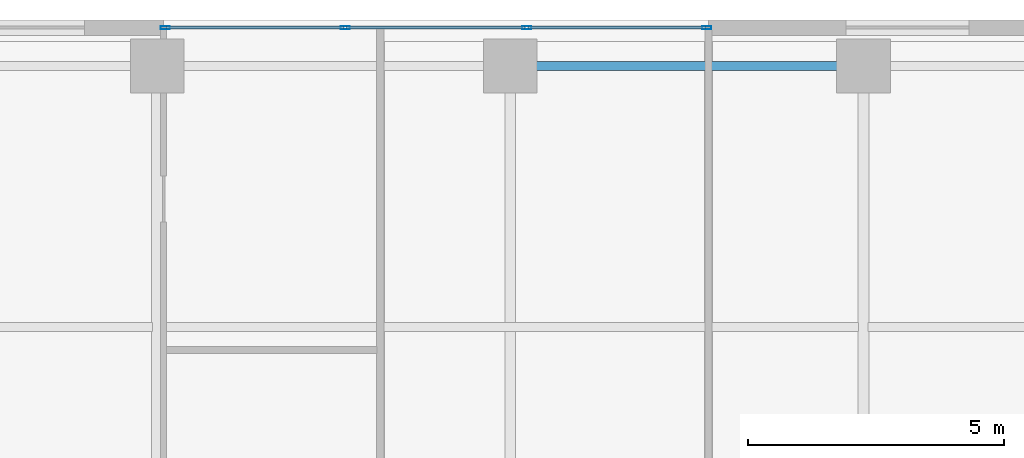
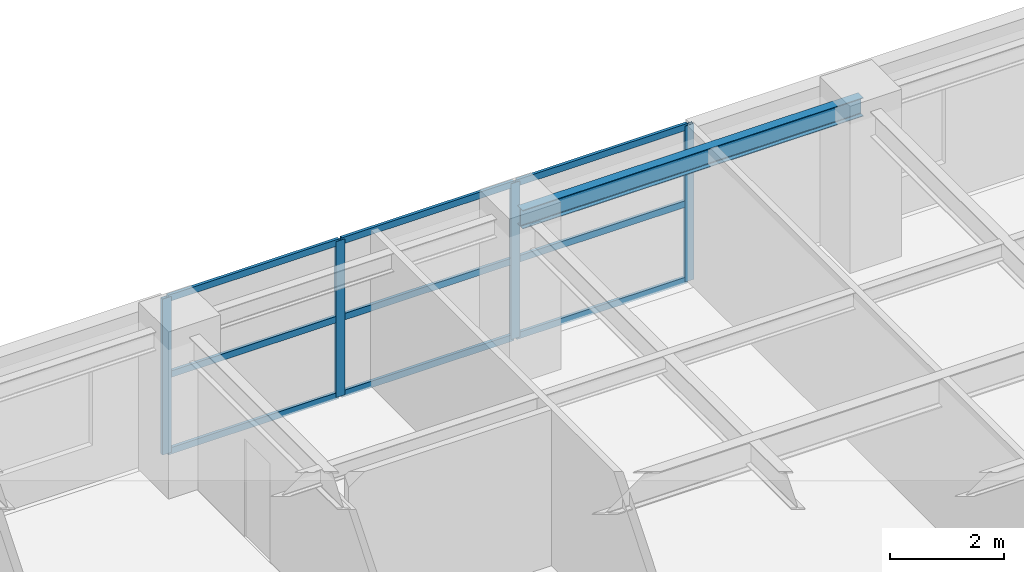
# One storey, part 10 of 20: 13 members, 1 beam, 1 element without a shape of its own.
"""IFC4 building model written with IfcOpenShell, lengths in metres."""

from ifc_helpers import new_model, si_unit, direction, frame, origin, origin_2d, place, context, subcontext, project, spatial, hollow_rectangle, i_section, extrude, source, transform, mapped, material, layer, layer_set, material_profile, profile_set, type_object, element, aggregate, save


model = new_model("IFC4")

# Units and contexts
model_context = context("Model", 3, precision=1e-05, world=origin(), true_north=direction((0.0, 1.0)))
body_context = subcontext(model_context, "Body", "Model", "MODEL_VIEW")
ifc_project = project(units=[si_unit("LENGTHUNIT", "METRE"), si_unit("AREAUNIT", "SQUARE_METRE"), si_unit("VOLUMEUNIT", "CUBIC_METRE"), si_unit("PLANEANGLEUNIT", "RADIAN"), si_unit("MASSUNIT", "GRAM", prefix="KILO")], contexts=[model_context])

# Site, building, storey
site_placement = place(None, origin())
site = spatial("IfcSite", under=ifc_project, at=site_placement, CompositionType="ELEMENT")
building_placement = place(site_placement, origin())
building = spatial("IfcBuilding", under=site, at=building_placement, Name="Khoralis Quay Care Tower", CompositionType="ELEMENT")
storey_placement = place(building_placement, frame((0.0, 0.0, 116.10009765625)))
storey = spatial("IfcBuildingStorey", under=building, at=storey_placement, Name="L30", CompositionType="ELEMENT", Elevation=116.10009765625)

# Beam
ifc_material_1 = material(Name="Steel S355", Category="steel")
ifc_material_profile_1 = material_profile(ifc_material_1, i_section(OverallWidth=0.179931640625, OverallDepth=0.39990234375, WebThickness=0.008544921875, FlangeThickness=0.013427734375, FilletRadius=0.02099609375, at=origin_2d()), Name="Steel S355")
ifc_profile_set_1 = profile_set([ifc_material_profile_1], Name="Steel S355")
beam_type = type_object("IfcBeamType", Name="BM-IPE400", PredefinedType="SPANDREL", material=ifc_profile_set_1)
shared_shape_1 = source(origin(), body_context, "Body", "SweptSolid", [
    extrude(i_section(OverallWidth=0.179931640625, OverallDepth=0.39990234375, WebThickness=0.008544921875, FlangeThickness=0.013427734375, FilletRadius=0.02099609375, at=origin_2d()), origin(), (0.0, 0.0, 1.0), 6.89990234375),
])
beam_placement = place(storey_placement, frame((24.0, 44.10009765625, 3.139892578125), z_axis=(1.0, 0.0, 0.0), x_axis=(0.0, 1.0, 0.0)))
element("IfcBeam", 1, at=beam_placement, inside=storey, type_object=beam_type, Name="BM-TSP-L30-09", PredefinedType="SPANDREL", context=body_context, shape_type="MappedRepresentation", body=[
    mapped(shared_shape_1, transform((0.0, 0.0, 0.0), scale=1.0)),
])

# Curtain wall, members
ifc_material_2 = material(Name="Pale anodised aluminium", Category="aluminium")
ifc_layer = layer(ifc_material_2, 0.169921875)
ifc_layer_set = layer_set([ifc_layer], Name="Pale anodised aluminium")
curtain_wall_type = type_object("IfcCurtainWallType", Name="CW-SYS-Z2", PredefinedType="NOTDEFINED", material=ifc_layer_set)
curtain_wall_placement = place(storey_placement, origin())
curtain_wall = element("IfcCurtainWall", 2, at=curtain_wall_placement, inside=storey, type_object=curtain_wall_type, Name="L30 Unitised Curtain Wall CW-L30-P1-E10", PredefinedType="NOTDEFINED")
ifc_material_profile_2 = material_profile(ifc_material_2, hollow_rectangle(XDim=0.06494140625, YDim=0.179931640625, WallThickness=0.00390625, at=origin_2d()), Name="Pale anodised aluminium")
ifc_profile_set_2 = profile_set([ifc_material_profile_2], Name="Pale anodised aluminium")
member_type_1 = type_object("IfcMemberType", Name="CW-MUL-180", PredefinedType="MULLION", material=ifc_profile_set_2)
shared_shape_2 = source(origin(), body_context, "Body", "SweptSolid", [
    extrude(hollow_rectangle(XDim=0.06494140625, YDim=0.179931640625, WallThickness=0.00390625, at=origin_2d()), origin(), (0.0, 0.0, 1.0), 3.33984375),
])
member_1_placement = place(storey_placement, frame((27.840087890625, 44.85009765625, 0.0), z_axis=(0.0, 0.0, 1.0), x_axis=(0.0, -1.0, 0.0)))
member_1 = element("IfcMember", 3, at=member_1_placement, type_object=member_type_1, Name="CW2 mullion 1", PredefinedType="MULLION", context=body_context, shape_type="MappedRepresentation", body=[
    mapped(shared_shape_2, transform((0.0, 0.0, 0.0), scale=1.0)),
])
member_2_placement = place(storey_placement, frame((24.322265625, 44.85009765625, 0.0), z_axis=(0.0, 0.0, 1.0), x_axis=(0.0, -1.0, 0.0)))
member_2 = element("IfcMember", 4, at=member_2_placement, type_object=member_type_1, Name="CW2 mullion 2", PredefinedType="MULLION", context=body_context, shape_type="MappedRepresentation", body=[
    mapped(shared_shape_2, transform((0.0, 0.0, 0.0), scale=1.0)),
])
member_3_placement = place(storey_placement, frame((20.774658203125, 44.85009765625, 0.0), z_axis=(0.0, 0.0, 1.0), x_axis=(0.0, -1.0, 0.0)))
member_3 = element("IfcMember", 5, at=member_3_placement, type_object=member_type_1, Name="CW2 mullion 3", PredefinedType="MULLION", context=body_context, shape_type="MappedRepresentation", body=[
    mapped(shared_shape_2, transform((0.0, 0.0, 0.0), scale=1.0)),
])
member_4_placement = place(storey_placement, frame((17.257080078125, 44.85009765625, 0.0), z_axis=(0.0, 0.0, 1.0), x_axis=(0.0, -1.0, 0.0)))
member_4 = element("IfcMember", 6, at=member_4_placement, type_object=member_type_1, Name="CW2 mullion 4", PredefinedType="MULLION", context=body_context, shape_type="MappedRepresentation", body=[
    mapped(shared_shape_2, transform((0.0, 0.0, 0.0), scale=1.0)),
])
ifc_material_profile_3 = material_profile(ifc_material_2, hollow_rectangle(XDim=0.06005859375, YDim=0.139892578125, WallThickness=0.00390625, at=origin_2d()), Name="Pale anodised aluminium")
ifc_profile_set_3 = profile_set([ifc_material_profile_3], Name="Pale anodised aluminium")
member_type_2 = type_object("IfcMemberType", Name="CW-TRN-140", PredefinedType="USERDEFINED", material=ifc_profile_set_3)
shared_shape_3 = source(origin(), body_context, "Body", "SweptSolid", [
    extrude(hollow_rectangle(XDim=0.06005859375, YDim=0.139892578125, WallThickness=0.00390625, at=origin_2d()), origin(), (0.0, 0.0, 1.0), 3.457763671875),
])
member_5_placement = place(storey_placement, frame((27.81005859375, 44.85009765625, 0.02978515625), z_axis=(-1.0, 0.0, 0.0), x_axis=(0.0, -1.0, 0.0)))
member_5 = element("IfcMember", 7, at=member_5_placement, type_object=member_type_2, Name="CW2 transom 1.1", ObjectType="TRANSOM", PredefinedType="USERDEFINED", context=body_context, shape_type="MappedRepresentation", body=[
    mapped(shared_shape_3, transform((0.0, 0.0, 0.0), scale=1.0)),
])
member_6_placement = place(storey_placement, frame((27.81005859375, 44.85009765625, 1.669921875), z_axis=(-1.0, 0.0, 0.0), x_axis=(0.0, -1.0, 0.0)))
member_6 = element("IfcMember", 8, at=member_6_placement, type_object=member_type_2, Name="CW2 transom 1.2", ObjectType="TRANSOM", PredefinedType="USERDEFINED", context=body_context, shape_type="MappedRepresentation", body=[
    mapped(shared_shape_3, transform((0.0, 0.0, 0.0), scale=1.0)),
])
member_7_placement = place(storey_placement, frame((27.81005859375, 44.85009765625, 3.309814453125), z_axis=(-1.0, 0.0, 0.0), x_axis=(0.0, -1.0, 0.0)))
member_7 = element("IfcMember", 9, at=member_7_placement, type_object=member_type_2, Name="CW2 transom 1.3", ObjectType="TRANSOM", PredefinedType="USERDEFINED", context=body_context, shape_type="MappedRepresentation", body=[
    mapped(shared_shape_3, transform((0.0, 0.0, 0.0), scale=1.0)),
])
shared_shape_4 = source(origin(), body_context, "Body", "SweptSolid", [
    extrude(hollow_rectangle(XDim=0.06005859375, YDim=0.139892578125, WallThickness=0.00390625, at=origin_2d()), origin(), (0.0, 0.0, 1.0), 3.487548828125),
])
member_8_placement = place(storey_placement, frame((24.292236328125, 44.85009765625, 0.02978515625), z_axis=(-1.0, 0.0, 0.0), x_axis=(0.0, -1.0, 0.0)))
member_8 = element("IfcMember", 10, at=member_8_placement, type_object=member_type_2, Name="CW2 transom 2.1", ObjectType="TRANSOM", PredefinedType="USERDEFINED", context=body_context, shape_type="MappedRepresentation", body=[
    mapped(shared_shape_4, transform((0.0, 0.0, 0.0), scale=1.0)),
])
member_9_placement = place(storey_placement, frame((24.292236328125, 44.85009765625, 1.669921875), z_axis=(-1.0, 0.0, 0.0), x_axis=(0.0, -1.0, 0.0)))
member_9 = element("IfcMember", 11, at=member_9_placement, type_object=member_type_2, Name="CW2 transom 2.2", ObjectType="TRANSOM", PredefinedType="USERDEFINED", context=body_context, shape_type="MappedRepresentation", body=[
    mapped(shared_shape_4, transform((0.0, 0.0, 0.0), scale=1.0)),
])
member_10_placement = place(storey_placement, frame((24.292236328125, 44.85009765625, 3.309814453125), z_axis=(-1.0, 0.0, 0.0), x_axis=(0.0, -1.0, 0.0)))
member_10 = element("IfcMember", 12, at=member_10_placement, type_object=member_type_2, Name="CW2 transom 2.3", ObjectType="TRANSOM", PredefinedType="USERDEFINED", context=body_context, shape_type="MappedRepresentation", body=[
    mapped(shared_shape_4, transform((0.0, 0.0, 0.0), scale=1.0)),
])
shared_shape_5 = source(origin(), body_context, "Body", "SweptSolid", [
    extrude(hollow_rectangle(XDim=0.06005859375, YDim=0.139892578125, WallThickness=0.00390625, at=origin_2d()), origin(), (0.0, 0.0, 1.0), 3.45751953125),
])
member_11_placement = place(storey_placement, frame((20.74462890625, 44.85009765625, 0.02978515625), z_axis=(-1.0, 0.0, 0.0), x_axis=(0.0, -1.0, 0.0)))
member_11 = element("IfcMember", 13, at=member_11_placement, type_object=member_type_2, Name="CW2 transom 3.1", ObjectType="TRANSOM", PredefinedType="USERDEFINED", context=body_context, shape_type="MappedRepresentation", body=[
    mapped(shared_shape_5, transform((0.0, 0.0, 0.0), scale=1.0)),
])
member_12_placement = place(storey_placement, frame((20.74462890625, 44.85009765625, 1.669921875), z_axis=(-1.0, 0.0, 0.0), x_axis=(0.0, -1.0, 0.0)))
member_12 = element("IfcMember", 14, at=member_12_placement, type_object=member_type_2, Name="CW2 transom 3.2", ObjectType="TRANSOM", PredefinedType="USERDEFINED", context=body_context, shape_type="MappedRepresentation", body=[
    mapped(shared_shape_5, transform((0.0, 0.0, 0.0), scale=1.0)),
])
member_13_placement = place(storey_placement, frame((20.74462890625, 44.85009765625, 3.309814453125), z_axis=(-1.0, 0.0, 0.0), x_axis=(0.0, -1.0, 0.0)))
member_13 = element("IfcMember", 15, at=member_13_placement, type_object=member_type_2, Name="CW2 transom 3.3", ObjectType="TRANSOM", PredefinedType="USERDEFINED", context=body_context, shape_type="MappedRepresentation", body=[
    mapped(shared_shape_5, transform((0.0, 0.0, 0.0), scale=1.0)),
])
aggregate(curtain_wall, [member_1, member_2, member_3, member_4, member_5, member_6, member_7, member_8, member_9, member_10, member_11, member_12, member_13])

save(model, "model.ifc")
